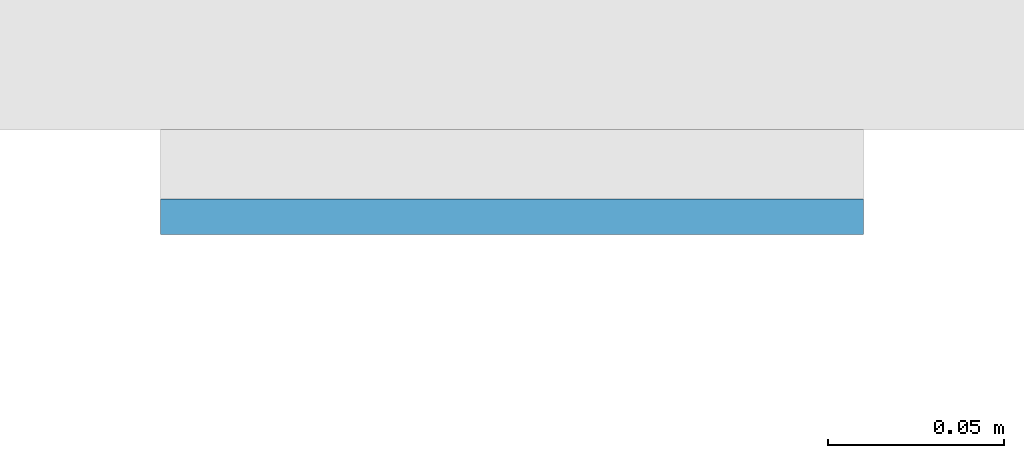
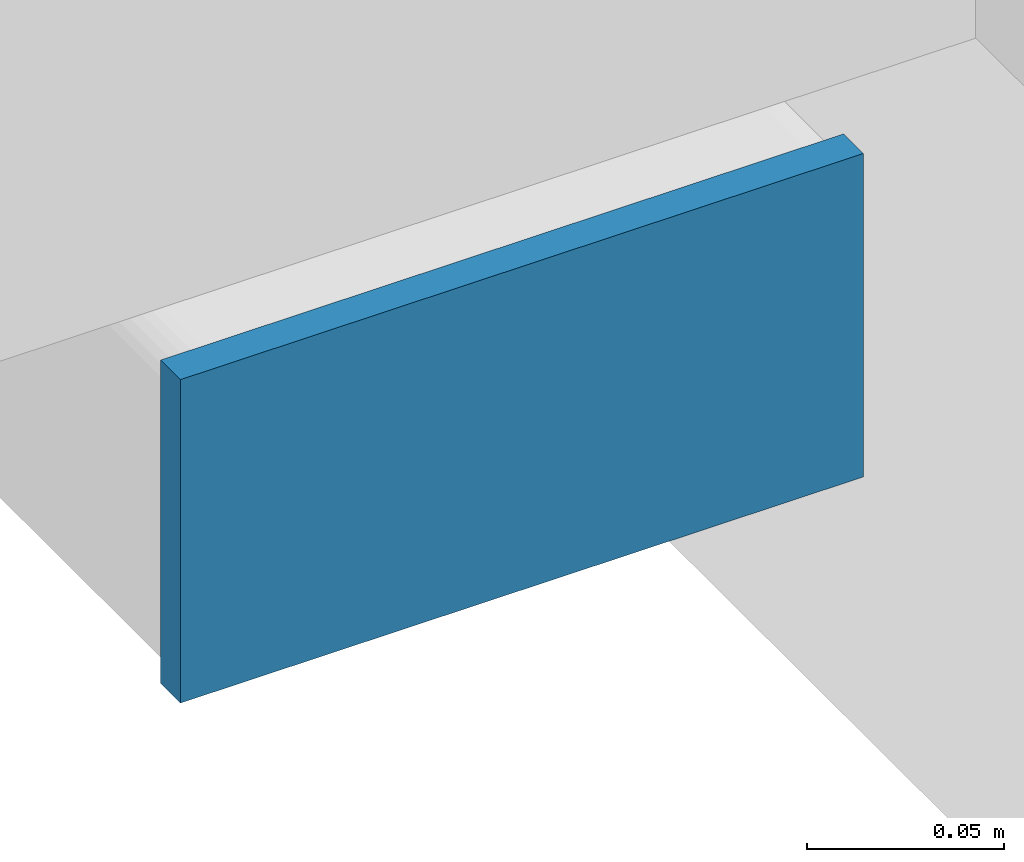
# One storey, part 8 of 20: 1 plate.
"""IFC4 building model written with IfcOpenShell, lengths in metres."""

from ifc_helpers import new_model, si_unit, direction, frame, origin, origin_2d, place, context, subcontext, project, spatial, rectangle, extrude, material, layer, layer_set, type_object, element, save


model = new_model("IFC4")

# Units and contexts
model_context = context("Model", 3, precision=1e-05, world=origin(), true_north=direction((0.0, 1.0)))
body_context = subcontext(model_context, "Body", "Model", "MODEL_VIEW")
ifc_project = project(units=[si_unit("LENGTHUNIT", "METRE"), si_unit("AREAUNIT", "SQUARE_METRE"), si_unit("VOLUMEUNIT", "CUBIC_METRE"), si_unit("PLANEANGLEUNIT", "RADIAN"), si_unit("MASSUNIT", "GRAM", prefix="KILO")], contexts=[model_context])

# Site, building, storey
site_placement = place(None, origin())
site = spatial("IfcSite", under=ifc_project, at=site_placement, CompositionType="ELEMENT")
building_placement = place(site_placement, origin())
building = spatial("IfcBuilding", under=site, at=building_placement, Name="Cleftline Residences", CompositionType="ELEMENT")
storey_placement = place(building_placement, frame((0.0, 0.0, 117.800048828125)))
storey = spatial("IfcBuildingStorey", under=building, at=storey_placement, Name="L30", CompositionType="ELEMENT", Elevation=117.800048828125)

# Plate
ifc_material = material(Name="Steel S355, hot-dip galvanised", Category="steel")
ifc_layer = layer(ifc_material, 0.010009765625)
ifc_layer_set = layer_set([ifc_layer], Name="BAGUETTE CARRIER END PLATE 200X100X10")
plate_type = type_object("IfcPlateType", Name="BAGUETTE CARRIER END PLATE 200X100X10", PredefinedType="USERDEFINED", material=ifc_layer_set)
plate_placement = place(storey_placement, frame((-0.85009765625, 3.695068359375, -0.10009765625), z_axis=(0.0, 0.0, 1.0), x_axis=(-1.0, 0.0, 0.0)))
element("IfcPlate", 1, at=plate_placement, inside=storey, type_object=plate_type, Name="Baguette carrier end plate", ObjectType="BAGUETTE CARRIER END PLATE", PredefinedType="USERDEFINED", context=body_context, shape_type="SweptSolid", body=[
    extrude(rectangle(XDim=0.199951171875, YDim=0.010009765625, at=origin_2d()), origin(), (0.0, 0.0, 1.0), 0.10009765625),
])

save(model, "model.ifc")
